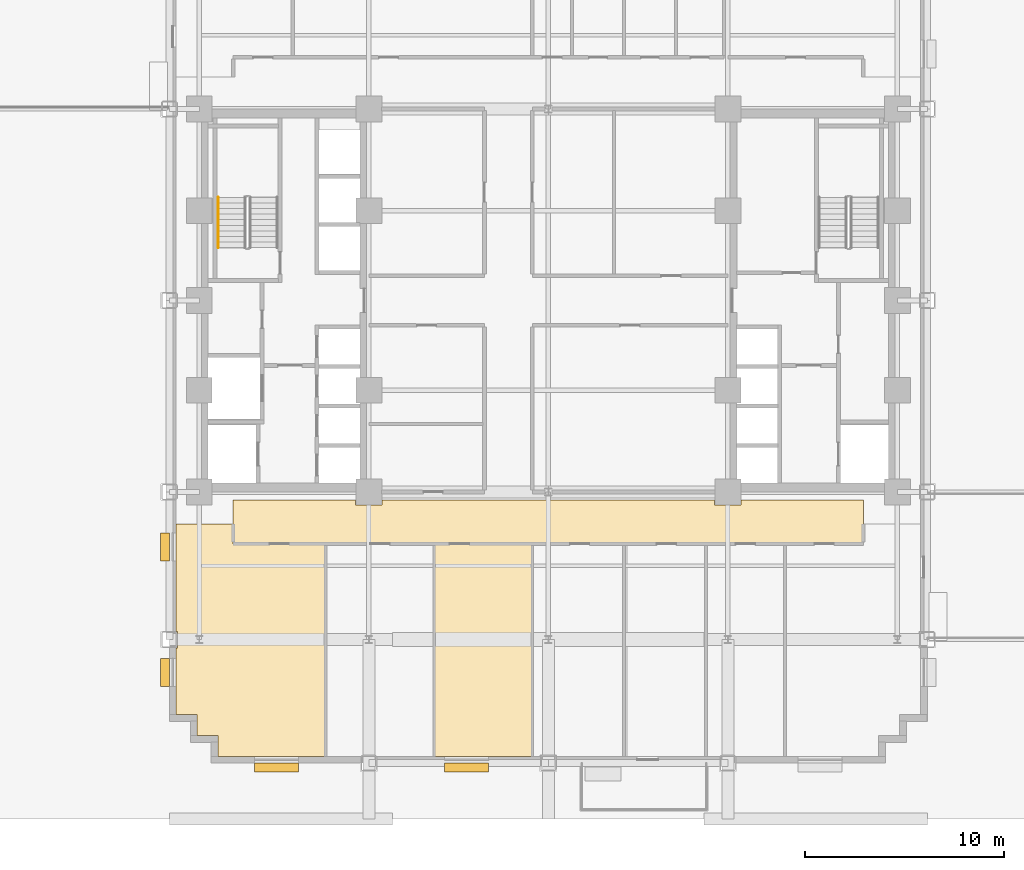
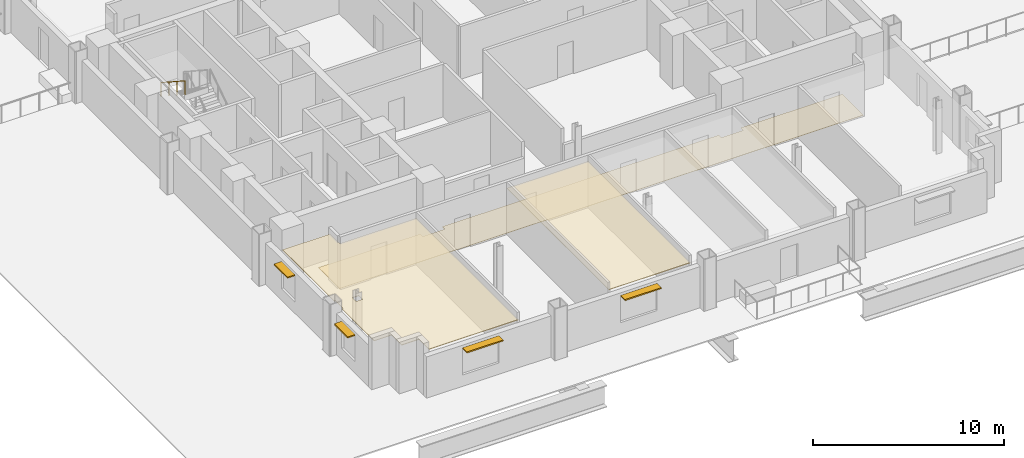
# One storey, part 9 of 13: 4 shading devices, 3 coverings, 1 railing.
"""IFC4 building model written with IfcOpenShell, lengths in metres."""

from ifc_helpers import new_model, si_unit, direction, frame, origin, origin_2d, place, context, subcontext, project, spatial, polyline, rectangle, circle, outline, extrude, source, transform, mapped, material, layer, layer_set, type_object, type_shapes, element, save


model = new_model("IFC4")

# Units and contexts
model_context = context("Model", 3, precision=1e-05, world=origin(), true_north=direction((0.0, 1.0)))
body_context = subcontext(model_context, "Body", "Model", "MODEL_VIEW")
ifc_project = project(units=[si_unit("LENGTHUNIT", "METRE"), si_unit("AREAUNIT", "SQUARE_METRE"), si_unit("VOLUMEUNIT", "CUBIC_METRE"), si_unit("PLANEANGLEUNIT", "RADIAN"), si_unit("MASSUNIT", "GRAM", prefix="KILO")], contexts=[model_context])

# Site, building, storey
site_placement = place(None, origin())
site = spatial("IfcSite", under=ifc_project, at=site_placement, CompositionType="ELEMENT")
building_placement = place(site_placement, origin())
building = spatial("IfcBuilding", under=site, at=building_placement, Name="Nuvemarco Arch Tower", CompositionType="ELEMENT")
storey_placement = place(building_placement, frame((0.0, 0.0, 27.60009765625)))
storey = spatial("IfcBuildingStorey", under=building, at=storey_placement, Name="L06", CompositionType="ELEMENT", Elevation=27.60009765625)

# Coverings
ifc_material_1 = material(Name="Mineral acoustic ceiling tile")
ifc_layer_1 = layer(ifc_material_1, 0.0400390625, Name="COV-ACOUSTIC-CLG")
ifc_layer_set_1 = layer_set([ifc_layer_1], Name="Mineral acoustic ceiling tile")
covering_type_1 = type_object("IfcCoveringType", Name="COV-ACOUSTIC-CLG", PredefinedType="CEILING", material=ifc_layer_set_1)
covering_1_placement = place(storey_placement, frame((0.0, 0.0, 2.849853515625)))
element("IfcCovering", 1, at=covering_1_placement, inside=storey, type_object=covering_type_1, Name="L06 suspended acoustic ceiling 3", PredefinedType="CEILING", context=body_context, shape_type="SweptSolid", body=[
    extrude(outline(polyline([(-18.659912109375, -20.760009765625), (-18.659912109375, -17.4150390625), (-18.5849609375, -17.4150390625), (-18.5849609375, -16.5849609375), (-18.659912109375, -16.5849609375), (-18.659912109375, -11.199951171875), (-15.800048828125, -11.199951171875), (-15.800048828125, -12.199951171875), (-11.169921875, -12.199951171875), (-11.169921875, -22.860107421875), (-16.56005859375, -22.860107421875), (-16.56005859375, -21.81005859375), (-17.610107421875, -21.81005859375), (-17.610107421875, -20.760009765625), (-18.659912109375, -20.760009765625)]), holes=[polyline([(-17.304931640625, -16.804931640625), (-17.695068359375, -16.804931640625), (-17.695068359375, -17.195068359375), (-17.304931640625, -17.195068359375), (-17.304931640625, -16.804931640625)])]), origin(), (0.0, 0.0, 1.0), 0.0400390625),
])
covering_2_placement = place(storey_placement, frame((0.0, 0.0, 2.849853515625)))
element("IfcCovering", 2, at=covering_2_placement, inside=storey, type_object=covering_type_1, Name="L06 suspended acoustic ceiling 7", PredefinedType="CEILING", context=body_context, shape_type="SweptSolid", body=[
    extrude(outline(polyline([(-0.800048828125, -22.860107421875), (-5.7099609375, -22.860107421875), (-5.7099609375, -12.199951171875), (-3.199951171875, -12.199951171875), (-0.800048828125, -12.199951171875), (-0.800048828125, -22.860107421875)])), origin(), (0.0, 0.0, 1.0), 0.0400390625),
])
ifc_material_2 = material(Name="Polished granite terrazzostone flooring", Category="masonry")
ifc_layer_2 = layer(ifc_material_2, 0.02001953125, Name="COV-LOBBY-FLR")
ifc_layer_set_2 = layer_set([ifc_layer_2], Name="Polished granite terrazzostone flooring")
covering_type_2 = type_object("IfcCoveringType", Name="COV-LOBBY-FLR", PredefinedType="FLOORING", material=ifc_layer_set_2)
covering_3_placement = place(storey_placement, origin())
element("IfcCovering", 3, at=covering_3_placement, inside=storey, type_object=covering_type_2, Name="L06 polished terrazzo lobby flooring", PredefinedType="FLOORING", context=body_context, shape_type="SweptSolid", body=[
    extrude(outline(polyline([(-9.6650390625, -10.264892578125), (-8.3349609375, -10.264892578125), (-8.3349609375, -10.0), (8.3349609375, -10.0), (8.3349609375, -10.264892578125), (9.6650390625, -10.264892578125), (9.6650390625, -10.0), (15.800048828125, -10.0), (15.800048828125, -12.199951171875), (-0.800048828125, -12.199951171875), (-3.199951171875, -12.199951171875), (-15.800048828125, -12.199951171875), (-15.800048828125, -10.0), (-9.6650390625, -10.0), (-9.6650390625, -10.264892578125)])), origin(), (0.0, 0.0, 1.0), 0.02001953125),
])

# Railing
ifc_material_3 = material(Name="Brushed stainless steel handrail", Category="steel")
railing_type = type_object("IfcRailingType", Name="RL-HANDRAIL-900", PredefinedType="HANDRAIL", material=ifc_material_3)
railing_placement = place(storey_placement, frame((-16.550048828125, 5.169921875, 2.00732421875)))
element("IfcRailing", 4, at=railing_placement, inside=storey, type_object=railing_type, Name="L06 ST-1 stair handrail 2", PredefinedType="HANDRAIL", context=body_context, shape_type="SweptSolid", body=[
    extrude(circle(Radius=0.02392578125, at=origin_2d()), frame((0.0, 0.0, 0.8759765625), z_axis=(0.0, -0.837749427056, 0.546054848405), x_axis=(1.0, 0.0, 0.0)), (0.0, 0.0, 1.0), 3.008056640625),
    extrude(circle(Radius=0.02099609375, at=origin_2d()), origin(), (0.0, 0.0, 1.0), 0.851806640625),
    extrude(circle(Radius=0.02099609375, at=origin_2d()), frame((0.0, -0.840087890625, 0.547607421875)), (0.0, 0.0, 1.0), 0.851806640625),
    extrude(circle(Radius=0.02099609375, at=origin_2d()), frame((0.0, -1.679931640625, 1.094970703125)), (0.0, 0.0, 1.0), 0.851806640625),
    extrude(circle(Radius=0.02099609375, at=origin_2d()), frame((0.0, -2.52001953125, 1.642578125)), (0.0, 0.0, 1.0), 0.851806640625),
])

# Shading devices
ifc_material_4 = material(Name="Anodised aluminium 6063-T6", Category="aluminium")
shading_device_type_1 = type_object("IfcShadingDeviceType", Name="SHD-BRISE-SOLEIL", PredefinedType="USERDEFINED", material=ifc_material_4)
shared_shape_1 = source(origin(), body_context, "Body", "SweptSolid", [
    extrude(rectangle(XDim=2.199951171875, YDim=0.449951171875, at=origin_2d()), origin(), (0.0, 0.0, 1.0), 0.080078125),
])
type_shapes(shading_device_type_1, [shared_shape_1])
for number, where, z_axis, x_axis, name in (
    (5, (-13.628662109375, -23.4150390625, 2.454833984375), (0.0, 0.0, 1.0), (1.0, 0.0, 0.0), "L06 horizontal brise-soleil sunshade"),
    (6, (-4.093017578125, -23.4150390625, 2.454833984375), (0.0, 0.0, 1.0), (1.0, 0.0, 0.0), "L06 horizontal brise-soleil sunshade"),
):
    element("IfcShadingDevice", number, at=place(storey_placement, frame(where, z_axis=z_axis, x_axis=x_axis)), inside=storey, type_object=shading_device_type_1, Name=name, ObjectType="SUNSHADE", PredefinedType="USERDEFINED", context=body_context, shape_type="MappedRepresentation", body=[
        mapped(shared_shape_1, transform((0.0, 0.0, 0.0), scale=1.0)),
    ])
shading_device_type_2 = type_object("IfcShadingDeviceType", Name="SHD-BRISE-NARROW", PredefinedType="USERDEFINED", material=ifc_material_4)
shared_shape_2 = source(origin(), body_context, "Body", "SweptSolid", [
    extrude(rectangle(XDim=1.39990234375, YDim=0.449951171875, at=origin_2d()), origin(), (0.0, 0.0, 1.0), 0.080078125),
])
type_shapes(shading_device_type_2, [shared_shape_2])
for number, where, z_axis, x_axis, name in (
    (7, (-19.215087890625, -18.6435546875, 2.454833984375), (0.0, 0.0, 1.0), (0.0, 1.0, 0.0), "L06 horizontal brise-soleil sunshade"),
    (8, (-19.215087890625, -12.3525390625, 2.454833984375), (0.0, 0.0, 1.0), (0.0, 1.0, 0.0), "L06 horizontal brise-soleil sunshade"),
):
    element("IfcShadingDevice", number, at=place(storey_placement, frame(where, z_axis=z_axis, x_axis=x_axis)), inside=storey, type_object=shading_device_type_2, Name=name, ObjectType="SUNSHADE", PredefinedType="USERDEFINED", context=body_context, shape_type="MappedRepresentation", body=[
        mapped(shared_shape_2, transform((0.0, 0.0, 0.0), scale=1.0)),
    ])

save(model, "model.ifc")
